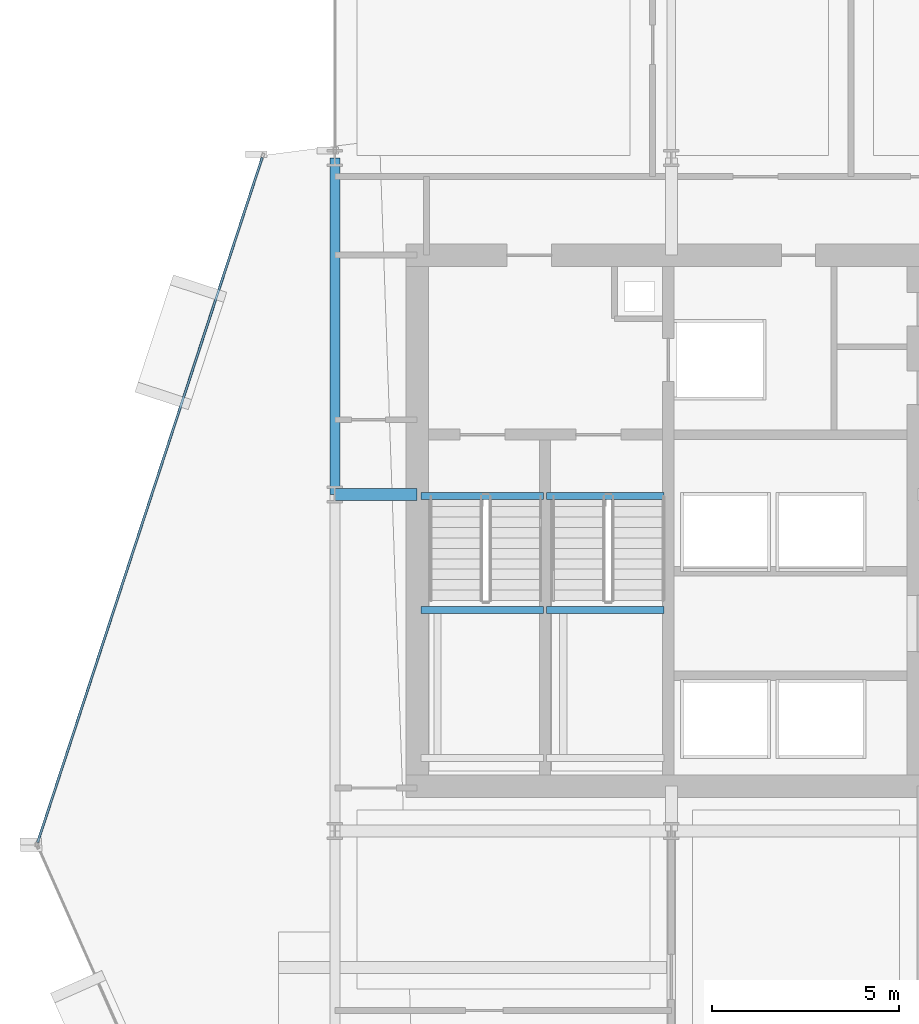
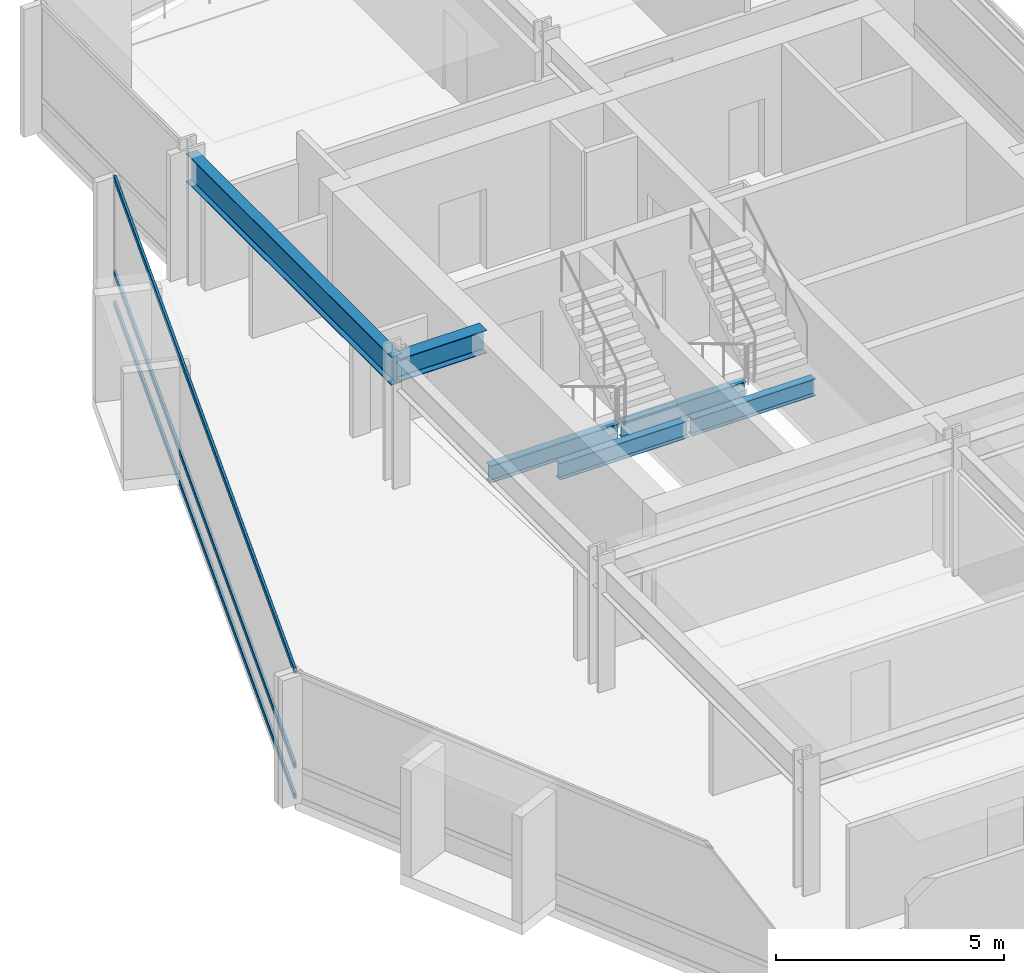
# One storey, part 15 of 28: 6 beams, 3 members, 1 element without a shape of its own.
"""IFC4 building model written with IfcOpenShell, lengths in metres."""

from ifc_helpers import new_model, si_unit, direction, frame, origin, origin_2d, place, context, subcontext, project, spatial, hollow_rectangle, i_section, extrude, material, layer, layer_set, material_profile, profile_set, type_object, element, aggregate, save


model = new_model("IFC4")

# Units and contexts
model_context = context("Model", 3, precision=1e-05, world=origin(), true_north=direction((0.0, 1.0)))
body_context = subcontext(model_context, "Body", "Model", "MODEL_VIEW")
ifc_project = project(units=[si_unit("LENGTHUNIT", "METRE"), si_unit("AREAUNIT", "SQUARE_METRE"), si_unit("VOLUMEUNIT", "CUBIC_METRE"), si_unit("PLANEANGLEUNIT", "RADIAN"), si_unit("MASSUNIT", "GRAM", prefix="KILO")], contexts=[model_context])

# Site, building, storey
site_placement = place(None, origin())
site = spatial("IfcSite", under=ifc_project, at=site_placement, CompositionType="ELEMENT")
building_placement = place(site_placement, origin())
building = spatial("IfcBuilding", under=site, at=building_placement, Name="Solvaryn Broadcast Tower", CompositionType="ELEMENT")
storey_placement = place(building_placement, frame((0.0, 0.0, 110.0)))
storey = spatial("IfcBuildingStorey", under=building, at=storey_placement, Name="L26", CompositionType="ELEMENT", Elevation=110.0)

# Beams
ifc_material_1 = material(Name="Steel ASTM A992 Grade 50", Category="steel")
ifc_material_profile_1 = material_profile(ifc_material_1, i_section(OverallWidth=0.323974609375, OverallDepth=0.611083984375, WebThickness=0.0126953125, FlangeThickness=0.01904296875, FilletRadius=0.014892578125, at=origin_2d()))
ifc_profile_set_1 = profile_set([ifc_material_profile_1], Name="Steel ASTM A992 Grade 50")
beam_type_1 = type_object("IfcBeamType", Name="BM-B1-W24X104", PredefinedType="BEAM", material=ifc_profile_set_1)
beam_1_placement = place(storey_placement, frame((9.0, 36.0, 3.114501953125), z_axis=(1.0, 0.0, 0.0), x_axis=(0.0, 1.0, 0.0)))
element("IfcBeam", 1, at=beam_1_placement, inside=storey, type_object=beam_type_1, Name="L26 Core Tie Beam CTW1", PredefinedType="BEAM", context=body_context, shape_type="SweptSolid", body=[
    extrude(i_section(OverallWidth=0.323974609375, OverallDepth=0.611083984375, WebThickness=0.0126953125, FlangeThickness=0.01904296875, FilletRadius=0.014892578125, at=origin_2d()), origin(), (0.0, 0.0, 1.0), 2.199951171875),
])
ifc_material_2 = material(Name="Steel ASTM A992 Grade 50", Category="steel")
ifc_material_profile_2 = material_profile(ifc_material_2, i_section(OverallWidth=0.18994140625, OverallDepth=0.45703125, WebThickness=0.009033203125, FlangeThickness=0.014404296875, FilletRadius=0.011962890625, at=origin_2d()))
ifc_profile_set_2 = profile_set([ifc_material_profile_2], Name="Steel ASTM A992 Grade 50")
beam_type_2 = type_object("IfcBeamType", Name="BM-B4-W18X50", PredefinedType="BEAM", material=ifc_profile_set_2)
for number, where, z_axis, x_axis, name in (
    (2, (11.300048828125, 35.9599609375, -0.508544921875), (1.0, 0.0, 0.0), (0.0, 1.0, 0.0), "L26 ST1 Stair Well Trimmer Beam"),
    (3, (11.300048828125, 32.909912109375, 1.42138671875), (1.0, 0.0, 0.0), (0.0, 1.0, 0.0), "L26 ST1 Landing Support Beam 1B"),
):
    element("IfcBeam", number, at=place(storey_placement, frame(where, z_axis=z_axis, x_axis=x_axis)), inside=storey, type_object=beam_type_2, Name=name, PredefinedType="BEAM", context=body_context, shape_type="SweptSolid", body=[
        extrude(i_section(OverallWidth=0.18994140625, OverallDepth=0.45703125, WebThickness=0.009033203125, FlangeThickness=0.014404296875, FilletRadius=0.011962890625, at=origin_2d()), origin(), (0.0, 0.0, 1.0), 3.280029296875),
    ])
for number, where, z_axis, x_axis, name in (
    (4, (14.659912109375, 35.9599609375, -0.508544921875), (1.0, 0.0, 0.0), (0.0, 1.0, 0.0), "L26 ST2 Stair Well Trimmer Beam"),
    (5, (14.659912109375, 32.909912109375, 1.42138671875), (1.0, 0.0, 0.0), (0.0, 1.0, 0.0), "L26 ST2 Landing Support Beam 1B"),
):
    element("IfcBeam", number, at=place(storey_placement, frame(where, z_axis=z_axis, x_axis=x_axis)), inside=storey, type_object=beam_type_2, Name=name, PredefinedType="BEAM", context=body_context, shape_type="SweptSolid", body=[
        extrude(i_section(OverallWidth=0.18994140625, OverallDepth=0.45703125, WebThickness=0.009033203125, FlangeThickness=0.014404296875, FilletRadius=0.011962890625, at=origin_2d()), origin(), (0.0, 0.0, 1.0), 3.14013671875),
    ])
ifc_material_3 = material(Name="Steel ASTM A992 Grade 50", Category="steel")
ifc_material_profile_3 = material_profile(ifc_material_3, i_section(OverallWidth=0.26708984375, OverallDepth=0.76611328125, WebThickness=0.014892578125, FlangeThickness=0.023681640625, FilletRadius=0.01806640625, at=origin_2d()))
ifc_profile_set_3 = profile_set([ifc_material_profile_3], Name="Steel ASTM A992 Grade 50")
beam_type_3 = type_object("IfcBeamType", Name="BM-SP2-W30X124", PredefinedType="USERDEFINED", material=ifc_profile_set_3)
beam_2_placement = place(storey_placement, frame((9.0, 36.0, 3.037109375), z_axis=(0.0, 1.0, 0.0), x_axis=(-1.0, 0.0, 0.0)))
element("IfcBeam", 6, at=beam_2_placement, inside=storey, type_object=beam_type_3, Name="L26 Spandrel Beam Y (36-45 @ X=9)", ObjectType="SPANDREL", PredefinedType="USERDEFINED", context=body_context, shape_type="SweptSolid", body=[
    extrude(i_section(OverallWidth=0.26708984375, OverallDepth=0.76611328125, WebThickness=0.014892578125, FlangeThickness=0.023681640625, FilletRadius=0.01806640625, at=origin_2d()), origin(), (0.0, 0.0, 1.0), 9.0),
])

# Curtain wall, members
ifc_material_4 = material(Name="Aluminium and Terracotta Unitised Curtain Wall", Category="masonry")
ifc_layer = layer(ifc_material_4, 0.199951171875)
ifc_layer_set = layer_set([ifc_layer], Name="CW-SYS2-LOWMID")
curtain_wall_type = type_object("IfcCurtainWallType", Name="CW-SYS2-LOWMID", PredefinedType="NOTDEFINED", material=ifc_layer_set)
curtain_wall_placement = place(storey_placement, origin())
curtain_wall = element("IfcCurtainWall", 7, at=curtain_wall_placement, inside=storey, type_object=curtain_wall_type, Name="L26 Curtain Wall DR1", PredefinedType="NOTDEFINED")
ifc_material_5 = material(Name="Anodised Aluminium 6063-T6", Category="aluminium")
ifc_material_profile_4 = material_profile(ifc_material_5, hollow_rectangle(XDim=0.06494140625, YDim=0.14990234375, WallThickness=0.00390625, InnerFilletRadius=0.00390625, OuterFilletRadius=0.008056640625, at=origin_2d()))
ifc_profile_set_4 = profile_set([ifc_material_profile_4], Name="Anodised Aluminium 6063-T6")
member_type = type_object("IfcMemberType", Name="CW-TRN-150", PredefinedType="USERDEFINED", material=ifc_profile_set_4)
member_1_placement = place(storey_placement, frame((7.060302734375, 45.010009765625, 0.030029296875), z_axis=(-0.31164571445, -0.950198373323, 0.0), x_axis=(0.950198373323, -0.31164571445, 0.0)))
member_1 = element("IfcMember", 8, at=member_1_placement, type_object=member_type, Name="CWS2 transom 1.1", ObjectType="TRANSOM", PredefinedType="USERDEFINED", context=body_context, shape_type="SweptSolid", body=[
    extrude(hollow_rectangle(XDim=0.06494140625, YDim=0.14990234375, WallThickness=0.00390625, InnerFilletRadius=0.00390625, OuterFilletRadius=0.008056640625, at=origin_2d()), origin(), (0.0, 0.0, 1.0), 19.27685546875),
])
member_2_placement = place(storey_placement, frame((7.060302734375, 45.010009765625, 0.85009765625), z_axis=(-0.31164571445, -0.950198373323, 0.0), x_axis=(0.950198373323, -0.31164571445, 0.0)))
member_2 = element("IfcMember", 9, at=member_2_placement, type_object=member_type, Name="CWS2 transom 1.2", ObjectType="TRANSOM", PredefinedType="USERDEFINED", context=body_context, shape_type="SweptSolid", body=[
    extrude(hollow_rectangle(XDim=0.06494140625, YDim=0.14990234375, WallThickness=0.00390625, InnerFilletRadius=0.00390625, OuterFilletRadius=0.008056640625, at=origin_2d()), origin(), (0.0, 0.0, 1.0), 19.27685546875),
])
member_3_placement = place(storey_placement, frame((7.060302734375, 45.010009765625, 3.389892578125), z_axis=(-0.31164571445, -0.950198373323, 0.0), x_axis=(0.950198373323, -0.31164571445, 0.0)))
member_3 = element("IfcMember", 10, at=member_3_placement, type_object=member_type, Name="CWS2 transom 1.3", ObjectType="TRANSOM", PredefinedType="USERDEFINED", context=body_context, shape_type="SweptSolid", body=[
    extrude(hollow_rectangle(XDim=0.06494140625, YDim=0.14990234375, WallThickness=0.00390625, InnerFilletRadius=0.00390625, OuterFilletRadius=0.008056640625, at=origin_2d()), origin(), (0.0, 0.0, 1.0), 19.27685546875),
])
aggregate(curtain_wall, [member_1, member_2, member_3])

save(model, "model.ifc")
